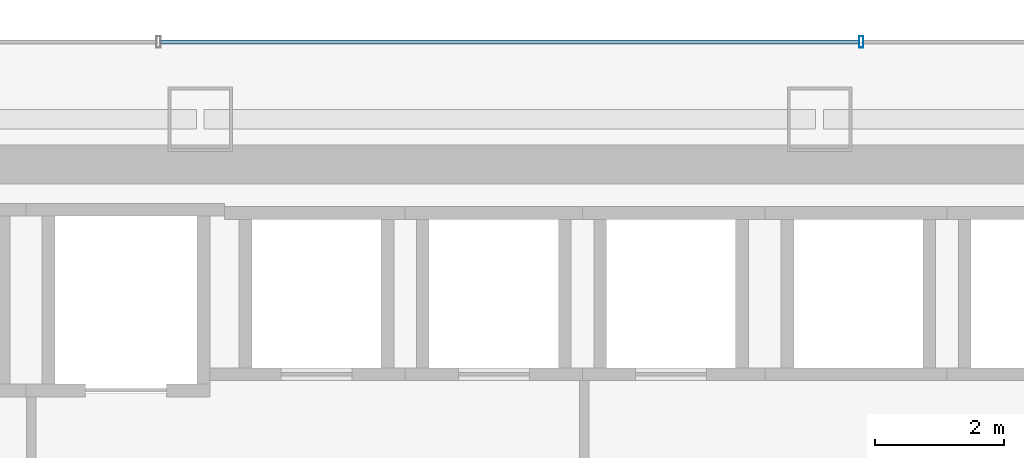
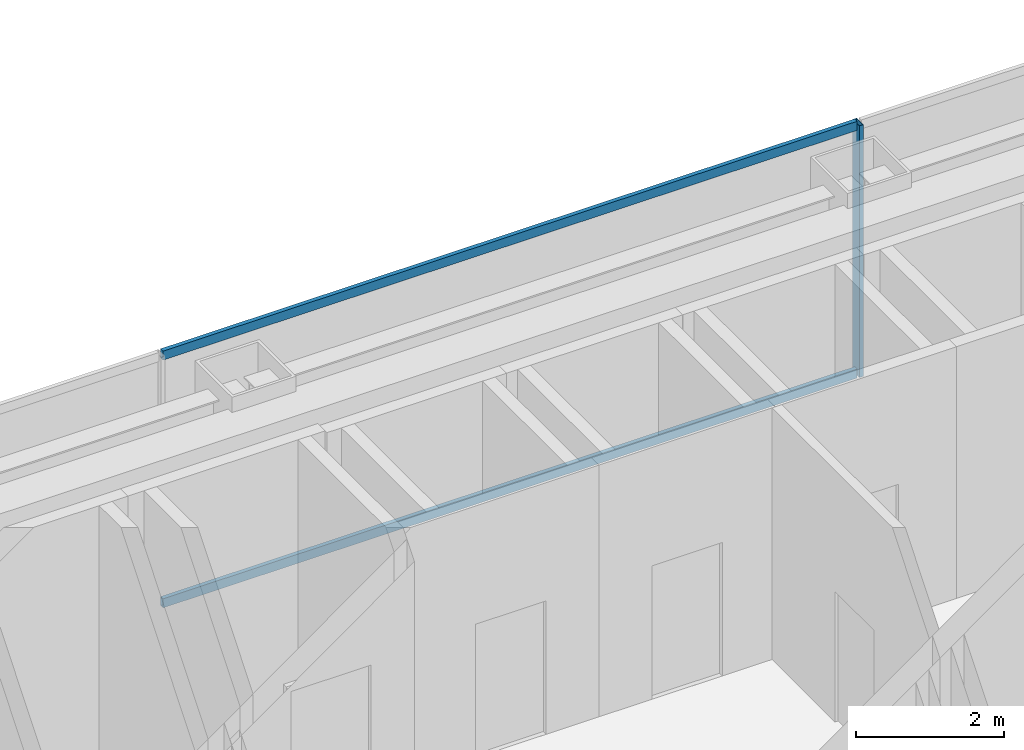
# One storey, part 25 of 37: 3 members, 1 element without a shape of its own.
"""IFC4 building model written with IfcOpenShell, lengths in metres."""

from ifc_helpers import new_model, si_unit, direction, frame, origin, origin_2d, place, context, subcontext, project, spatial, hollow_rectangle, extrude, material, material_profile, profile_set, type_object, element, aggregate, save


model = new_model("IFC4")

# Units and contexts
model_context = context("Model", 3, precision=1e-05, world=origin(), true_north=direction((0.0, 1.0)))
body_context = subcontext(model_context, "Body", "Model", "MODEL_VIEW")
ifc_project = project(units=[si_unit("LENGTHUNIT", "METRE"), si_unit("AREAUNIT", "SQUARE_METRE"), si_unit("VOLUMEUNIT", "CUBIC_METRE"), si_unit("PLANEANGLEUNIT", "RADIAN"), si_unit("MASSUNIT", "GRAM", prefix="KILO")], contexts=[model_context])

# Site, building, storey
site_placement = place(None, origin())
site = spatial("IfcSite", under=ifc_project, at=site_placement, CompositionType="ELEMENT")
building_placement = place(site_placement, origin())
building = spatial("IfcBuilding", under=site, at=building_placement, Name="Saevonmaru Cultural Tower", CompositionType="ELEMENT")
storey_placement = place(building_placement, frame((0.0, 0.0, 110.39990234375)))
storey = spatial("IfcBuildingStorey", under=building, at=storey_placement, Name="L23", CompositionType="ELEMENT", Elevation=110.39990234375)

# Curtain wall, members
ifc_material = material(Name="Satin Bronze Anodised Aluminium", Category="aluminium")
curtain_wall_type = type_object("IfcCurtainWallType", Name="CW-TYP-A", PredefinedType="NOTDEFINED", material=ifc_material)
curtain_wall_placement = place(storey_placement, origin())
curtain_wall = element("IfcCurtainWall", 1, at=curtain_wall_placement, inside=storey, type_object=curtain_wall_type, Name="L23 North Spine Unitised Curtain Wall E10B", PredefinedType="NOTDEFINED")
ifc_material_profile_1 = material_profile(ifc_material, hollow_rectangle(XDim=0.06494140625, YDim=0.179931640625, WallThickness=0.00390625, at=origin_2d()), Name="ALU-MULL-180x65x4")
ifc_profile_set_1 = profile_set([ifc_material_profile_1], Name="Satin Bronze Anodised Aluminium")
member_type_1 = type_object("IfcMemberType", Name="ML-CW-180x65", PredefinedType="MULLION", material=ifc_profile_set_1)
member_1_placement = place(storey_placement, frame((35.44677734375, 56.0, 0.0), z_axis=(0.0, 0.0, 1.0), x_axis=(-1.0, 0.0, 0.0)))
member_1 = element("IfcMember", 2, at=member_1_placement, type_object=member_type_1, Name="CW-TW-L23-E10B mullion 2", PredefinedType="MULLION", context=body_context, shape_type="SweptSolid", body=[
    extrude(hollow_rectangle(XDim=0.06494140625, YDim=0.179931640625, WallThickness=0.00390625, at=origin_2d()), origin(), (0.0, 0.0, 1.0), 4.150146484375),
])
ifc_material_profile_2 = material_profile(ifc_material, hollow_rectangle(XDim=0.06494140625, YDim=0.14990234375, WallThickness=0.00390625, at=origin_2d()), Name="ALU-TRAN-150x65x4")
ifc_profile_set_2 = profile_set([ifc_material_profile_2], Name="Satin Bronze Anodised Aluminium")
member_type_2 = type_object("IfcMemberType", Name="TR-CW-150x65", PredefinedType="USERDEFINED", material=ifc_profile_set_2)
member_2_placement = place(storey_placement, frame((35.4140625, 56.0, 0.03271484375), z_axis=(-1.0, 0.0, 0.0), x_axis=(0.0, -1.0, 0.0)))
member_2 = element("IfcMember", 3, at=member_2_placement, type_object=member_type_2, Name="CW-TW-L23-E10B transom 2.1", ObjectType="TRANSOM", PredefinedType="USERDEFINED", context=body_context, shape_type="SweptSolid", body=[
    extrude(hollow_rectangle(XDim=0.06494140625, YDim=0.14990234375, WallThickness=0.00390625, at=origin_2d()), origin(), (0.0, 0.0, 1.0), 10.828125),
])
member_3_placement = place(storey_placement, frame((35.4140625, 56.0, 4.11767578125), z_axis=(-1.0, 0.0, 0.0), x_axis=(0.0, -1.0, 0.0)))
member_3 = element("IfcMember", 4, at=member_3_placement, type_object=member_type_2, Name="CW-TW-L23-E10B transom 2.2", ObjectType="TRANSOM", PredefinedType="USERDEFINED", context=body_context, shape_type="SweptSolid", body=[
    extrude(hollow_rectangle(XDim=0.06494140625, YDim=0.14990234375, WallThickness=0.00390625, at=origin_2d()), origin(), (0.0, 0.0, 1.0), 10.828125),
])
aggregate(curtain_wall, [member_1, member_2, member_3])

save(model, "model.ifc")
